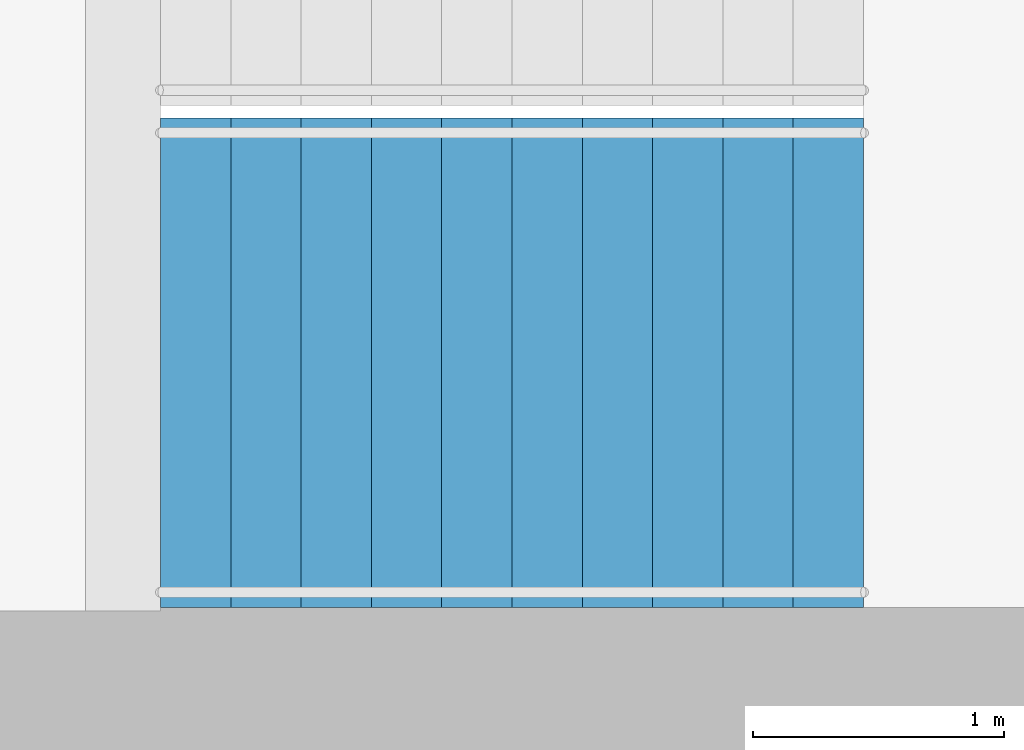
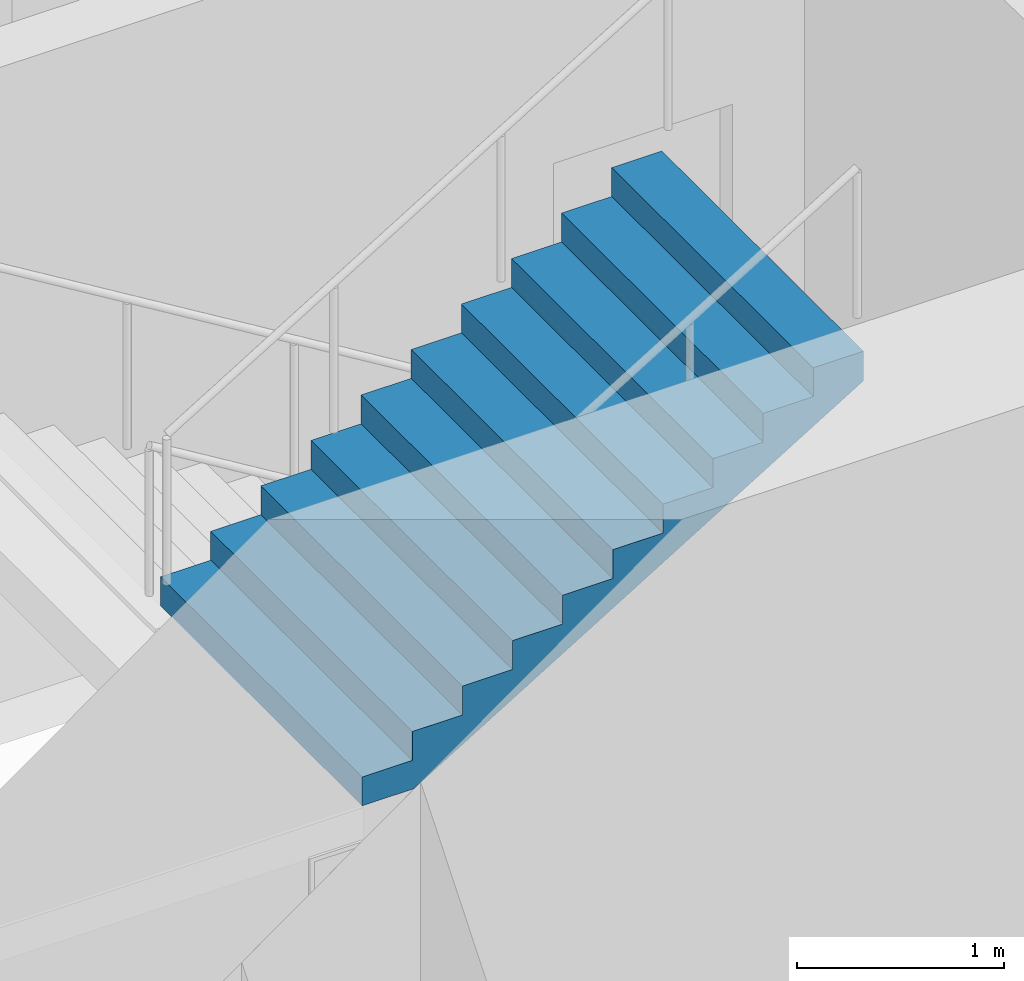
# One storey, part 21 of 23: 1 stair flight, 1 element without a shape of its own.
"""IFC4 building model written with IfcOpenShell, lengths in metres."""

from ifc_helpers import new_model, si_unit, direction, frame, origin, place, context, subcontext, project, spatial, triangles, material, type_object, element, aggregate, save


model = new_model("IFC4")

# Units and contexts
model_context = context("Model", 3, precision=1e-05, world=origin(), true_north=direction((0.0, 1.0)))
body_context = subcontext(model_context, "Body", "Model", "MODEL_VIEW")
ifc_project = project(units=[si_unit("LENGTHUNIT", "METRE"), si_unit("AREAUNIT", "SQUARE_METRE"), si_unit("VOLUMEUNIT", "CUBIC_METRE"), si_unit("PLANEANGLEUNIT", "RADIAN"), si_unit("MASSUNIT", "GRAM", prefix="KILO")], contexts=[model_context])

# Site, building, storey
site_placement = place(None, origin())
site = spatial("IfcSite", under=ifc_project, at=site_placement, CompositionType="ELEMENT")
building_placement = place(site_placement, origin())
building = spatial("IfcBuilding", under=site, at=building_placement, Name="Orbita Commons", CompositionType="ELEMENT")
storey_placement = place(building_placement, frame((0.0, 0.0, 46.449951171875)))
storey = spatial("IfcBuildingStorey", under=building, at=storey_placement, Name="L11", CompositionType="ELEMENT", Elevation=46.449951171875)

# Stair, stair flight
ifc_material_1 = material(Name="Precast concrete C40/50", Category="concrete")
stair_type = type_object("IfcStairType", Name="Exit stair S2 2 flights 11 risers 170", PredefinedType="HALF_TURN_STAIR", material=ifc_material_1)
stair_placement = place(storey_placement, origin())
stair = element("IfcStair", 1, at=stair_placement, inside=storey, type_object=stair_type, Name="Exit stair S2 L11", PredefinedType="HALF_TURN_STAIR")
ifc_material_2 = material(Name="Precast concrete C40/50", Category="concrete")
stair_flight_type = type_object("IfcStairFlightType", Name="Stair flight 11 risers 170 x 280", PredefinedType="STRAIGHT", material=ifc_material_2)
stair_flight_placement = place(storey_placement, frame((60.75, 27.27490234375, 1.875), z_axis=(0.0, 0.0, 1.0), x_axis=(1.0, 0.0, 0.0)))
stair_flight = element("IfcStairFlight", 2, at=stair_flight_placement, type_object=stair_flight_type, Name="S2 flight 2", NumberOfRisers=11, NumberOfTreads=10, PredefinedType="STRAIGHT", RiserHeight=0.170454545, TreadLength=0.28, context=body_context, shape_type="Tessellation", body=[
    triangles([(0.0, 0.974976, 0.0), (0.0, 0.974976, 0.021307), (0.0, 0.81248, 0.021307), (0.0, 0.81248, 0.0), (0.0, 0.649984, 0.021307), (0.0, 0.649984, 0.0), (0.0, 0.487488, 0.021307), (0.0, 0.487488, 0.0), (0.0, 0.324992, 0.021307), (0.0, 0.324992, 0.0), (0.0, 0.162496, 0.021307), (0.0, 0.162496, 0.0), (0.0, 0.0, 0.021307), (0.0, 0.0, 0.0), (0.0, -0.162496, 0.021307), (0.0, -0.162496, 0.0), (0.0, -0.324992, 0.021307), (0.0, -0.324992, 0.0), (0.0, -0.487488, 0.021307), (0.0, -0.487488, 0.0), (0.0, -0.649984, 0.021307), (0.0, -0.649984, 0.0), (0.0, -0.81248, 0.021307), (0.0, -0.81248, 0.0), (0.0, -0.974976, 0.021307), (0.0, -0.974976, 0.0), (0.0, 0.974976, 0.042614), (0.0, 0.81248, 0.042614), (0.0, 0.649984, 0.042614), (0.0, 0.487488, 0.042614), (0.0, 0.324992, 0.042614), (0.0, 0.162496, 0.042614), (0.0, 0.0, 0.042614), (0.0, -0.162496, 0.042614), (0.0, -0.324992, 0.042614), (0.0, -0.487488, 0.042614), (0.0, -0.649984, 0.042614), (0.0, -0.81248, 0.042614), (0.0, -0.974976, 0.042614), (0.0, 0.974976, 0.06392), (0.0, 0.81248, 0.06392), (0.0, 0.649984, 0.06392), (0.0, 0.487488, 0.06392), (0.0, 0.324992, 0.06392), (0.0, 0.162496, 0.06392), (0.0, 0.0, 0.06392), (0.0, -0.162496, 0.06392), (0.0, -0.324992, 0.06392), (0.0, -0.487488, 0.06392), (0.0, -0.649984, 0.06392), (0.0, -0.81248, 0.06392), (0.0, -0.974976, 0.06392), (0.0, 0.974976, 0.085227), (0.0, 0.81248, 0.085227), (0.0, 0.649984, 0.085227), (0.0, 0.487488, 0.085227), (0.0, 0.324992, 0.085227), (0.0, 0.162496, 0.085227), (0.0, 0.0, 0.085227), (0.0, -0.162496, 0.085227), (0.0, -0.324992, 0.085227), (0.0, -0.487488, 0.085227), (0.0, -0.649984, 0.085227), (0.0, -0.81248, 0.085227), (0.0, -0.974976, 0.085227), (0.0, 0.974976, 0.106534), (0.0, 0.81248, 0.106534), (0.0, 0.649984, 0.106534), (0.0, 0.487488, 0.106534), (0.0, 0.324992, 0.106534), (0.0, 0.162496, 0.106534), (0.0, 0.0, 0.106534), (0.0, -0.162496, 0.106534), (0.0, -0.324992, 0.106534), (0.0, -0.487488, 0.106534), (0.0, -0.649984, 0.106534), (0.0, -0.81248, 0.106534), (0.0, -0.974976, 0.106534), (0.0, 0.974976, 0.127841), (0.0, 0.81248, 0.127841), (0.0, 0.649984, 0.127841), (0.0, 0.487488, 0.127841), (0.0, 0.324992, 0.127841), (0.0, 0.162496, 0.127841), (0.0, 0.0, 0.127841), (0.0, -0.162496, 0.127841), (0.0, -0.324992, 0.127841), (0.0, -0.487488, 0.127841), (0.0, -0.649984, 0.127841), (0.0, -0.81248, 0.127841), (0.0, -0.974976, 0.127841), (0.0, 0.974976, 0.149148), (0.0, 0.81248, 0.149148), (0.0, 0.649984, 0.149148), (0.0, 0.487488, 0.149148), (0.0, 0.324992, 0.149148), (0.0, 0.162496, 0.149148), (0.0, 0.0, 0.149148), (0.0, -0.162496, 0.149148), (0.0, -0.324992, 0.149148), (0.0, -0.487488, 0.149148), (0.0, -0.649984, 0.149148), (0.0, -0.81248, 0.149148), (0.0, -0.974976, 0.149148), (0.0, 0.974976, 0.170455), (0.0, 0.81248, 0.170455), (0.0, 0.649984, 0.170455), (0.0, 0.487488, 0.170455), (0.0, 0.324992, 0.170455), (0.0, 0.162496, 0.170455), (0.0, 0.0, 0.170455), (0.0, -0.162496, 0.170455), (0.0, -0.324992, 0.170455), (0.0, -0.487488, 0.170455), (0.0, -0.649984, 0.170455), (0.0, -0.81248, 0.170455), (0.0, -0.974976, 0.170455), (0.28, 0.974976, 0.170455), (0.28, 0.81248, 0.170455), (0.28, 0.649984, 0.170455), (0.28, 0.487488, 0.170455), (0.28, 0.324992, 0.170455), (0.28, 0.162496, 0.170455), (0.28, 0.0, 0.170455), (0.28, -0.162496, 0.170455), (0.28, -0.324992, 0.170455), (0.28, -0.487488, 0.170455), (0.28, -0.649984, 0.170455), (0.28, -0.81248, 0.170455), (0.28, -0.974976, 0.170455), (0.28, 0.974976, 0.340909), (0.28, 0.81248, 0.340909), (0.28, 0.649984, 0.340909), (0.28, 0.487488, 0.340909), (0.28, 0.324992, 0.340909), (0.28, 0.162496, 0.340909), (0.28, 0.0, 0.340909), (0.28, -0.162496, 0.340909), (0.28, -0.324992, 0.340909), (0.28, -0.487488, 0.340909), (0.28, -0.649984, 0.340909), (0.28, -0.81248, 0.340909), (0.28, -0.974976, 0.340909), (0.56, 0.974976, 0.340909), (0.56, 0.81248, 0.340909), (0.56, 0.649984, 0.340909), (0.56, 0.487488, 0.340909), (0.56, 0.324992, 0.340909), (0.56, 0.162496, 0.340909), (0.56, 0.0, 0.340909), (0.56, -0.162496, 0.340909), (0.56, -0.324992, 0.340909), (0.56, -0.487488, 0.340909), (0.56, -0.649984, 0.340909), (0.56, -0.81248, 0.340909), (0.56, -0.974976, 0.340909), (0.56, 0.974976, 0.511364), (0.56, 0.81248, 0.511364), (0.56, 0.649984, 0.511364), (0.56, 0.487488, 0.511364), (0.56, 0.324992, 0.511364), (0.56, 0.162496, 0.511364), (0.56, 0.0, 0.511364), (0.56, -0.162496, 0.511364), (0.56, -0.324992, 0.511364), (0.56, -0.487488, 0.511364), (0.56, -0.649984, 0.511364), (0.56, -0.81248, 0.511364), (0.56, -0.974976, 0.511364), (0.84, 0.974976, 0.511364), (0.84, 0.81248, 0.511364), (0.84, 0.649984, 0.511364), (0.84, 0.487488, 0.511364), (0.84, 0.324992, 0.511364), (0.84, 0.162496, 0.511364), (0.84, 0.0, 0.511364), (0.84, -0.162496, 0.511364), (0.84, -0.324992, 0.511364), (0.84, -0.487488, 0.511364), (0.84, -0.649984, 0.511364), (0.84, -0.81248, 0.511364), (0.84, -0.974976, 0.511364), (0.84, 0.974976, 0.681818), (0.84, 0.81248, 0.681818), (0.84, 0.649984, 0.681818), (0.84, 0.487488, 0.681818), (0.84, 0.324992, 0.681818), (0.84, 0.162496, 0.681818), (0.84, 0.0, 0.681818), (0.84, -0.162496, 0.681818), (0.84, -0.324992, 0.681818), (0.84, -0.487488, 0.681818), (0.84, -0.649984, 0.681818), (0.84, -0.81248, 0.681818), (0.84, -0.974976, 0.681818), (1.12, 0.974976, 0.681818), (1.12, 0.81248, 0.681818), (1.12, 0.649984, 0.681818), (1.12, 0.487488, 0.681818), (1.12, 0.324992, 0.681818), (1.12, 0.162496, 0.681818), (1.12, 0.0, 0.681818), (1.12, -0.162496, 0.681818), (1.12, -0.324992, 0.681818), (1.12, -0.487488, 0.681818), (1.12, -0.649984, 0.681818), (1.12, -0.81248, 0.681818), (1.12, -0.974976, 0.681818), (1.12, 0.974976, 0.852273), (1.12, 0.81248, 0.852273), (1.12, 0.649984, 0.852273), (1.12, 0.487488, 0.852273), (1.12, 0.324992, 0.852273), (1.12, 0.162496, 0.852273), (1.12, 0.0, 0.852273), (1.12, -0.162496, 0.852273), (1.12, -0.324992, 0.852273), (1.12, -0.487488, 0.852273), (1.12, -0.649984, 0.852273), (1.12, -0.81248, 0.852273), (1.12, -0.974976, 0.852273), (1.4, 0.974976, 0.852273), (1.4, 0.81248, 0.852273), (1.4, 0.649984, 0.852273), (1.4, 0.487488, 0.852273), (1.4, 0.324992, 0.852273), (1.4, 0.162496, 0.852273), (1.4, 0.0, 0.852273), (1.4, -0.162496, 0.852273), (1.4, -0.324992, 0.852273), (1.4, -0.487488, 0.852273), (1.4, -0.649984, 0.852273), (1.4, -0.81248, 0.852273), (1.4, -0.974976, 0.852273), (1.4, 0.974976, 1.022727), (1.4, 0.81248, 1.022727), (1.4, 0.649984, 1.022727), (1.4, 0.487488, 1.022727), (1.4, 0.324992, 1.022727), (1.4, 0.162496, 1.022727), (1.4, 0.0, 1.022727), (1.4, -0.162496, 1.022727), (1.4, -0.324992, 1.022727), (1.4, -0.487488, 1.022727), (1.4, -0.649984, 1.022727), (1.4, -0.81248, 1.022727), (1.4, -0.974976, 1.022727), (1.68, 0.974976, 1.022727), (1.68, 0.81248, 1.022727), (1.68, 0.649984, 1.022727), (1.68, 0.487488, 1.022727), (1.68, 0.324992, 1.022727), (1.68, 0.162496, 1.022727), (1.68, 0.0, 1.022727), (1.68, -0.162496, 1.022727), (1.68, -0.324992, 1.022727), (1.68, -0.487488, 1.022727), (1.68, -0.649984, 1.022727), (1.68, -0.81248, 1.022727), (1.68, -0.974976, 1.022727), (1.68, 0.974976, 1.193182), (1.68, 0.81248, 1.193182), (1.68, 0.649984, 1.193182), (1.68, 0.487488, 1.193182), (1.68, 0.324992, 1.193182), (1.68, 0.162496, 1.193182), (1.68, 0.0, 1.193182), (1.68, -0.162496, 1.193182), (1.68, -0.324992, 1.193182), (1.68, -0.487488, 1.193182), (1.68, -0.649984, 1.193182), (1.68, -0.81248, 1.193182), (1.68, -0.974976, 1.193182), (1.96, 0.974976, 1.193182), (1.96, 0.81248, 1.193182), (1.96, 0.649984, 1.193182), (1.96, 0.487488, 1.193182), (1.96, 0.324992, 1.193182), (1.96, 0.162496, 1.193182), (1.96, 0.0, 1.193182), (1.96, -0.162496, 1.193182), (1.96, -0.324992, 1.193182), (1.96, -0.487488, 1.193182), (1.96, -0.649984, 1.193182), (1.96, -0.81248, 1.193182), (1.96, -0.974976, 1.193182), (1.96, 0.974976, 1.363636), (1.96, 0.81248, 1.363636), (1.96, 0.649984, 1.363636), (1.96, 0.487488, 1.363636), (1.96, 0.324992, 1.363636), (1.96, 0.162496, 1.363636), (1.96, 0.0, 1.363636), (1.96, -0.162496, 1.363636), (1.96, -0.324992, 1.363636), (1.96, -0.487488, 1.363636), (1.96, -0.649984, 1.363636), (1.96, -0.81248, 1.363636), (1.96, -0.974976, 1.363636), (2.24, 0.974976, 1.363636), (2.24, 0.81248, 1.363636), (2.24, 0.649984, 1.363636), (2.24, 0.487488, 1.363636), (2.24, 0.324992, 1.363636), (2.24, 0.162496, 1.363636), (2.24, 0.0, 1.363636), (2.24, -0.162496, 1.363636), (2.24, -0.324992, 1.363636), (2.24, -0.487488, 1.363636), (2.24, -0.649984, 1.363636), (2.24, -0.81248, 1.363636), (2.24, -0.974976, 1.363636), (2.24, 0.974976, 1.534091), (2.24, 0.81248, 1.534091), (2.24, 0.649984, 1.534091), (2.24, 0.487488, 1.534091), (2.24, 0.324992, 1.534091), (2.24, 0.162496, 1.534091), (2.24, 0.0, 1.534091), (2.24, -0.162496, 1.534091), (2.24, -0.324992, 1.534091), (2.24, -0.487488, 1.534091), (2.24, -0.649984, 1.534091), (2.24, -0.81248, 1.534091), (2.24, -0.974976, 1.534091), (2.52, 0.974976, 1.534091), (2.52, 0.81248, 1.534091), (2.52, 0.649984, 1.534091), (2.52, 0.487488, 1.534091), (2.52, 0.324992, 1.534091), (2.52, 0.162496, 1.534091), (2.52, 0.0, 1.534091), (2.52, -0.162496, 1.534091), (2.52, -0.324992, 1.534091), (2.52, -0.487488, 1.534091), (2.52, -0.649984, 1.534091), (2.52, -0.81248, 1.534091), (2.52, -0.974976, 1.534091), (2.52, 0.974976, 1.704545), (2.52, 0.81248, 1.704545), (2.52, 0.649984, 1.704545), (2.52, 0.487488, 1.704545), (2.52, 0.324992, 1.704545), (2.52, 0.162496, 1.704545), (2.52, 0.0, 1.704545), (2.52, -0.162496, 1.704545), (2.52, -0.324992, 1.704545), (2.52, -0.487488, 1.704545), (2.52, -0.649984, 1.704545), (2.52, -0.81248, 1.704545), (2.52, -0.974976, 1.704545), (2.8, 0.974976, 1.704545), (2.8, 0.81248, 1.704545), (2.8, 0.649984, 1.704545), (2.8, 0.487488, 1.704545), (2.8, 0.324992, 1.704545), (2.8, 0.162496, 1.704545), (2.8, 0.0, 1.704545), (2.8, -0.162496, 1.704545), (2.8, -0.324992, 1.704545), (2.8, -0.487488, 1.704545), (2.8, -0.649984, 1.704545), (2.8, -0.81248, 1.704545), (2.8, -0.974976, 1.704545), (2.8, 0.974976, 1.682609), (2.8, 0.81248, 1.682609), (2.8, 0.649984, 1.682609), (2.8, 0.487488, 1.682609), (2.8, 0.324992, 1.682609), (2.8, 0.162496, 1.682609), (2.8, 0.0, 1.682609), (2.8, -0.162496, 1.682609), (2.8, -0.324992, 1.682609), (2.8, -0.487488, 1.682609), (2.8, -0.649984, 1.682609), (2.8, -0.81248, 1.682609), (2.8, -0.974976, 1.682609), (2.8, 0.974976, 1.660672), (2.8, 0.81248, 1.660672), (2.8, 0.649984, 1.660672), (2.8, 0.487488, 1.660672), (2.8, 0.324992, 1.660672), (2.8, 0.162496, 1.660672), (2.8, 0.0, 1.660672), (2.8, -0.162496, 1.660672), (2.8, -0.324992, 1.660672), (2.8, -0.487488, 1.660672), (2.8, -0.649984, 1.660672), (2.8, -0.81248, 1.660672), (2.8, -0.974976, 1.660672), (2.8, 0.974976, 1.638735), (2.8, 0.81248, 1.638735), (2.8, 0.649984, 1.638735), (2.8, 0.487488, 1.638735), (2.8, 0.324992, 1.638735), (2.8, 0.162496, 1.638735), (2.8, 0.0, 1.638735), (2.8, -0.162496, 1.638735), (2.8, -0.324992, 1.638735), (2.8, -0.487488, 1.638735), (2.8, -0.649984, 1.638735), (2.8, -0.81248, 1.638735), (2.8, -0.974976, 1.638735), (2.8, 0.974976, 1.616798), (2.8, 0.81248, 1.616798), (2.8, 0.649984, 1.616798), (2.8, 0.487488, 1.616798), (2.8, 0.324992, 1.616798), (2.8, 0.162496, 1.616798), (2.8, 0.0, 1.616798), (2.8, -0.162496, 1.616798), (2.8, -0.324992, 1.616798), (2.8, -0.487488, 1.616798), (2.8, -0.649984, 1.616798), (2.8, -0.81248, 1.616798), (2.8, -0.974976, 1.616798), (2.8, 0.974976, 1.594861), (2.8, 0.81248, 1.594861), (2.8, 0.649984, 1.594861), (2.8, 0.487488, 1.594861), (2.8, 0.324992, 1.594861), (2.8, 0.162496, 1.594861), (2.8, 0.0, 1.594861), (2.8, -0.162496, 1.594861), (2.8, -0.324992, 1.594861), (2.8, -0.487488, 1.594861), (2.8, -0.649984, 1.594861), (2.8, -0.81248, 1.594861), (2.8, -0.974976, 1.594861), (2.8, 0.974976, 1.572925), (2.8, 0.81248, 1.572925), (2.8, 0.649984, 1.572925), (2.8, 0.487488, 1.572925), (2.8, 0.324992, 1.572925), (2.8, 0.162496, 1.572925), (2.8, 0.0, 1.572925), (2.8, -0.162496, 1.572925), (2.8, -0.324992, 1.572925), (2.8, -0.487488, 1.572925), (2.8, -0.649984, 1.572925), (2.8, -0.81248, 1.572925), (2.8, -0.974976, 1.572925), (2.8, 0.974976, 1.550988), (2.8, 0.81248, 1.550988), (2.8, 0.649984, 1.550988), (2.8, 0.487488, 1.550988), (2.8, 0.324992, 1.550988), (2.8, 0.162496, 1.550988), (2.8, 0.0, 1.550988), (2.8, -0.162496, 1.550988), (2.8, -0.324992, 1.550988), (2.8, -0.487488, 1.550988), (2.8, -0.649984, 1.550988), (2.8, -0.81248, 1.550988), (2.8, -0.974976, 1.550988), (2.8, 0.974976, 1.529051), (2.8, 0.81248, 1.529051), (2.8, 0.649984, 1.529051), (2.8, 0.487488, 1.529051), (2.8, 0.324992, 1.529051), (2.8, 0.162496, 1.529051), (2.8, 0.0, 1.529051), (2.8, -0.162496, 1.529051), (2.8, -0.324992, 1.529051), (2.8, -0.487488, 1.529051), (2.8, -0.649984, 1.529051), (2.8, -0.81248, 1.529051), (2.8, -0.974976, 1.529051), (0.288279, 0.974976, 0.0), (0.288279, 0.81248, 0.0), (0.288279, 0.649984, 0.0), (0.288279, 0.487488, 0.0), (0.288279, 0.324992, 0.0), (0.288279, 0.162496, 0.0), (0.288279, 0.0, 0.0), (0.288279, -0.162496, 0.0), (0.288279, -0.324992, 0.0), (0.288279, -0.487488, 0.0), (0.288279, -0.649984, 0.0), (0.288279, -0.81248, 0.0), (0.288279, -0.974976, 0.0)], [[3, 2, 1], [4, 3, 1], [5, 3, 4], [6, 5, 4], [7, 5, 6], [8, 7, 6], [9, 7, 8], [10, 9, 8], [11, 9, 10], [12, 11, 10], [13, 11, 12], [14, 13, 12], [15, 13, 14], [16, 15, 14], [17, 15, 16], [18, 17, 16], [19, 17, 18], [20, 19, 18], [21, 19, 20], [22, 21, 20], [23, 21, 22], [24, 23, 22], [25, 23, 24], [26, 25, 24], [28, 27, 2], [3, 28, 2], [29, 28, 3], [5, 29, 3], [30, 29, 5], [7, 30, 5], [31, 30, 7], [9, 31, 7], [32, 31, 9], [11, 32, 9], [33, 32, 11], [13, 33, 11], [34, 33, 13], [15, 34, 13], [35, 34, 15], [17, 35, 15], [36, 35, 17], [19, 36, 17], [37, 36, 19], [21, 37, 19], [38, 37, 21], [23, 38, 21], [39, 38, 23], [25, 39, 23], [41, 40, 27], [28, 41, 27], [42, 41, 28], [29, 42, 28], [43, 42, 29], [30, 43, 29], [44, 43, 30], [31, 44, 30], [45, 44, 31], [32, 45, 31], [46, 45, 32], [33, 46, 32], [47, 46, 33], [34, 47, 33], [48, 47, 34], [35, 48, 34], [49, 48, 35], [36, 49, 35], [50, 49, 36], [37, 50, 36], [51, 50, 37], [38, 51, 37], [52, 51, 38], [39, 52, 38], [54, 53, 40], [41, 54, 40], [55, 54, 41], [42, 55, 41], [56, 55, 42], [43, 56, 42], [57, 56, 43], [44, 57, 43], [58, 57, 44], [45, 58, 44], [59, 58, 45], [46, 59, 45], [60, 59, 46], [47, 60, 46], [61, 60, 47], [48, 61, 47], [62, 61, 48], [49, 62, 48], [63, 62, 49], [50, 63, 49], [64, 63, 50], [51, 64, 50], [65, 64, 51], [52, 65, 51], [67, 66, 53], [54, 67, 53], [68, 67, 54], [55, 68, 54], [69, 68, 55], [56, 69, 55], [70, 69, 56], [57, 70, 56], [71, 70, 57], [58, 71, 57], [72, 71, 58], [59, 72, 58], [73, 72, 59], [60, 73, 59], [74, 73, 60], [61, 74, 60], [75, 74, 61], [62, 75, 61], [76, 75, 62], [63, 76, 62], [77, 76, 63], [64, 77, 63], [78, 77, 64], [65, 78, 64], [80, 79, 66], [67, 80, 66], [81, 80, 67], [68, 81, 67], [82, 81, 68], [69, 82, 68], [83, 82, 69], [70, 83, 69], [84, 83, 70], [71, 84, 70], [85, 84, 71], [72, 85, 71], [86, 85, 72], [73, 86, 72], [87, 86, 73], [74, 87, 73], [88, 87, 74], [75, 88, 74], [89, 88, 75], [76, 89, 75], [90, 89, 76], [77, 90, 76], [91, 90, 77], [78, 91, 77], [93, 92, 79], [80, 93, 79], [94, 93, 80], [81, 94, 80], [95, 94, 81], [82, 95, 81], [96, 95, 82], [83, 96, 82], [97, 96, 83], [84, 97, 83], [98, 97, 84], [85, 98, 84], [99, 98, 85], [86, 99, 85], [100, 99, 86], [87, 100, 86], [101, 100, 87], [88, 101, 87], [102, 101, 88], [89, 102, 88], [103, 102, 89], [90, 103, 89], [104, 103, 90], [91, 104, 90], [106, 105, 92], [93, 106, 92], [107, 106, 93], [94, 107, 93], [108, 107, 94], [95, 108, 94], [109, 108, 95], [96, 109, 95], [110, 109, 96], [97, 110, 96], [111, 110, 97], [98, 111, 97], [112, 111, 98], [99, 112, 98], [113, 112, 99], [100, 113, 99], [114, 113, 100], [101, 114, 100], [115, 114, 101], [102, 115, 101], [116, 115, 102], [103, 116, 102], [117, 116, 103], [104, 117, 103], [119, 118, 105], [106, 119, 105], [120, 119, 106], [107, 120, 106], [121, 120, 107], [108, 121, 107], [122, 121, 108], [109, 122, 108], [123, 122, 109], [110, 123, 109], [124, 123, 110], [111, 124, 110], [125, 124, 111], [112, 125, 111], [126, 125, 112], [113, 126, 112], [127, 126, 113], [114, 127, 113], [128, 127, 114], [115, 128, 114], [129, 128, 115], [116, 129, 115], [130, 129, 116], [117, 130, 116], [132, 131, 118], [119, 132, 118], [133, 132, 119], [120, 133, 119], [134, 133, 120], [121, 134, 120], [135, 134, 121], [122, 135, 121], [136, 135, 122], [123, 136, 122], [137, 136, 123], [124, 137, 123], [138, 137, 124], [125, 138, 124], [139, 138, 125], [126, 139, 125], [140, 139, 126], [127, 140, 126], [141, 140, 127], [128, 141, 127], [142, 141, 128], [129, 142, 128], [143, 142, 129], [130, 143, 129], [145, 144, 131], [132, 145, 131], [146, 145, 132], [133, 146, 132], [147, 146, 133], [134, 147, 133], [148, 147, 134], [135, 148, 134], [149, 148, 135], [136, 149, 135], [150, 149, 136], [137, 150, 136], [151, 150, 137], [138, 151, 137], [152, 151, 138], [139, 152, 138], [153, 152, 139], [140, 153, 139], [154, 153, 140], [141, 154, 140], [155, 154, 141], [142, 155, 141], [156, 155, 142], [143, 156, 142], [158, 157, 144], [145, 158, 144], [159, 158, 145], [146, 159, 145], [160, 159, 146], [147, 160, 146], [161, 160, 147], [148, 161, 147], [162, 161, 148], [149, 162, 148], [163, 162, 149], [150, 163, 149], [164, 163, 150], [151, 164, 150], [165, 164, 151], [152, 165, 151], [166, 165, 152], [153, 166, 152], [167, 166, 153], [154, 167, 153], [168, 167, 154], [155, 168, 154], [169, 168, 155], [156, 169, 155], [171, 170, 157], [158, 171, 157], [172, 171, 158], [159, 172, 158], [173, 172, 159], [160, 173, 159], [174, 173, 160], [161, 174, 160], [175, 174, 161], [162, 175, 161], [176, 175, 162], [163, 176, 162], [177, 176, 163], [164, 177, 163], [178, 177, 164], [165, 178, 164], [179, 178, 165], [166, 179, 165], [180, 179, 166], [167, 180, 166], [181, 180, 167], [168, 181, 167], [182, 181, 168], [169, 182, 168], [184, 183, 170], [171, 184, 170], [185, 184, 171], [172, 185, 171], [186, 185, 172], [173, 186, 172], [187, 186, 173], [174, 187, 173], [188, 187, 174], [175, 188, 174], [189, 188, 175], [176, 189, 175], [190, 189, 176], [177, 190, 176], [191, 190, 177], [178, 191, 177], [192, 191, 178], [179, 192, 178], [193, 192, 179], [180, 193, 179], [194, 193, 180], [181, 194, 180], [195, 194, 181], [182, 195, 181], [197, 196, 183], [184, 197, 183], [198, 197, 184], [185, 198, 184], [199, 198, 185], [186, 199, 185], [200, 199, 186], [187, 200, 186], [201, 200, 187], [188, 201, 187], [202, 201, 188], [189, 202, 188], [203, 202, 189], [190, 203, 189], [204, 203, 190], [191, 204, 190], [205, 204, 191], [192, 205, 191], [206, 205, 192], [193, 206, 192], [207, 206, 193], [194, 207, 193], [208, 207, 194], [195, 208, 194], [210, 209, 196], [197, 210, 196], [211, 210, 197], [198, 211, 197], [212, 211, 198], [199, 212, 198], [213, 212, 199], [200, 213, 199], [214, 213, 200], [201, 214, 200], [215, 214, 201], [202, 215, 201], [216, 215, 202], [203, 216, 202], [217, 216, 203], [204, 217, 203], [218, 217, 204], [205, 218, 204], [219, 218, 205], [206, 219, 205], [220, 219, 206], [207, 220, 206], [221, 220, 207], [208, 221, 207], [223, 222, 209], [210, 223, 209], [224, 223, 210], [211, 224, 210], [225, 224, 211], [212, 225, 211], [226, 225, 212], [213, 226, 212], [227, 226, 213], [214, 227, 213], [228, 227, 214], [215, 228, 214], [229, 228, 215], [216, 229, 215], [230, 229, 216], [217, 230, 216], [231, 230, 217], [218, 231, 217], [232, 231, 218], [219, 232, 218], [233, 232, 219], [220, 233, 219], [234, 233, 220], [221, 234, 220], [236, 235, 222], [223, 236, 222], [237, 236, 223], [224, 237, 223], [238, 237, 224], [225, 238, 224], [239, 238, 225], [226, 239, 225], [240, 239, 226], [227, 240, 226], [241, 240, 227], [228, 241, 227], [242, 241, 228], [229, 242, 228], [243, 242, 229], [230, 243, 229], [244, 243, 230], [231, 244, 230], [245, 244, 231], [232, 245, 231], [246, 245, 232], [233, 246, 232], [247, 246, 233], [234, 247, 233], [249, 248, 235], [236, 249, 235], [250, 249, 236], [237, 250, 236], [251, 250, 237], [238, 251, 237], [252, 251, 238], [239, 252, 238], [253, 252, 239], [240, 253, 239], [254, 253, 240], [241, 254, 240], [255, 254, 241], [242, 255, 241], [256, 255, 242], [243, 256, 242], [257, 256, 243], [244, 257, 243], [258, 257, 244], [245, 258, 244], [259, 258, 245], [246, 259, 245], [260, 259, 246], [247, 260, 246], [262, 261, 248], [249, 262, 248], [263, 262, 249], [250, 263, 249], [264, 263, 250], [251, 264, 250], [265, 264, 251], [252, 265, 251], [266, 265, 252], [253, 266, 252], [267, 266, 253], [254, 267, 253], [268, 267, 254], [255, 268, 254], [269, 268, 255], [256, 269, 255], [270, 269, 256], [257, 270, 256], [271, 270, 257], [258, 271, 257], [272, 271, 258], [259, 272, 258], [273, 272, 259], [260, 273, 259], [275, 274, 261], [262, 275, 261], [276, 275, 262], [263, 276, 262], [277, 276, 263], [264, 277, 263], [278, 277, 264], [265, 278, 264], [279, 278, 265], [266, 279, 265], [280, 279, 266], [267, 280, 266], [281, 280, 267], [268, 281, 267], [282, 281, 268], [269, 282, 268], [283, 282, 269], [270, 283, 269], [284, 283, 270], [271, 284, 270], [285, 284, 271], [272, 285, 271], [286, 285, 272], [273, 286, 272], [288, 287, 274], [275, 288, 274], [289, 288, 275], [276, 289, 275], [290, 289, 276], [277, 290, 276], [291, 290, 277], [278, 291, 277], [292, 291, 278], [279, 292, 278], [293, 292, 279], [280, 293, 279], [294, 293, 280], [281, 294, 280], [295, 294, 281], [282, 295, 281], [296, 295, 282], [283, 296, 282], [297, 296, 283], [284, 297, 283], [298, 297, 284], [285, 298, 284], [299, 298, 285], [286, 299, 285], [301, 300, 287], [288, 301, 287], [302, 301, 288], [289, 302, 288], [303, 302, 289], [290, 303, 289], [304, 303, 290], [291, 304, 290], [305, 304, 291], [292, 305, 291], [306, 305, 292], [293, 306, 292], [307, 306, 293], [294, 307, 293], [308, 307, 294], [295, 308, 294], [309, 308, 295], [296, 309, 295], [310, 309, 296], [297, 310, 296], [311, 310, 297], [298, 311, 297], [312, 311, 298], [299, 312, 298], [314, 313, 300], [301, 314, 300], [315, 314, 301], [302, 315, 301], [316, 315, 302], [303, 316, 302], [317, 316, 303], [304, 317, 303], [318, 317, 304], [305, 318, 304], [319, 318, 305], [306, 319, 305], [320, 319, 306], [307, 320, 306], [321, 320, 307], [308, 321, 307], [322, 321, 308], [309, 322, 308], [323, 322, 309], [310, 323, 309], [324, 323, 310], [311, 324, 310], [325, 324, 311], [312, 325, 311], [327, 326, 313], [314, 327, 313], [328, 327, 314], [315, 328, 314], [329, 328, 315], [316, 329, 315], [330, 329, 316], [317, 330, 316], [331, 330, 317], [318, 331, 317], [332, 331, 318], [319, 332, 318], [333, 332, 319], [320, 333, 319], [334, 333, 320], [321, 334, 320], [335, 334, 321], [322, 335, 321], [336, 335, 322], [323, 336, 322], [337, 336, 323], [324, 337, 323], [338, 337, 324], [325, 338, 324], [340, 339, 326], [327, 340, 326], [341, 340, 327], [328, 341, 327], [342, 341, 328], [329, 342, 328], [343, 342, 329], [330, 343, 329], [344, 343, 330], [331, 344, 330], [345, 344, 331], [332, 345, 331], [346, 345, 332], [333, 346, 332], [347, 346, 333], [334, 347, 333], [348, 347, 334], [335, 348, 334], [349, 348, 335], [336, 349, 335], [350, 349, 336], [337, 350, 336], [351, 350, 337], [338, 351, 337], [353, 352, 339], [340, 353, 339], [354, 353, 340], [341, 354, 340], [355, 354, 341], [342, 355, 341], [356, 355, 342], [343, 356, 342], [357, 356, 343], [344, 357, 343], [358, 357, 344], [345, 358, 344], [359, 358, 345], [346, 359, 345], [360, 359, 346], [347, 360, 346], [361, 360, 347], [348, 361, 347], [362, 361, 348], [349, 362, 348], [363, 362, 349], [350, 363, 349], [364, 363, 350], [351, 364, 350], [366, 365, 352], [353, 366, 352], [367, 366, 353], [354, 367, 353], [368, 367, 354], [355, 368, 354], [369, 368, 355], [356, 369, 355], [370, 369, 356], [357, 370, 356], [371, 370, 357], [358, 371, 357], [372, 371, 358], [359, 372, 358], [373, 372, 359], [360, 373, 359], [374, 373, 360], [361, 374, 360], [375, 374, 361], [362, 375, 361], [376, 375, 362], [363, 376, 362], [377, 376, 363], [364, 377, 363], [379, 378, 365], [366, 379, 365], [380, 379, 366], [367, 380, 366], [381, 380, 367], [368, 381, 367], [382, 381, 368], [369, 382, 368], [383, 382, 369], [370, 383, 369], [384, 383, 370], [371, 384, 370], [385, 384, 371], [372, 385, 371], [386, 385, 372], [373, 386, 372], [387, 386, 373], [374, 387, 373], [388, 387, 374], [375, 388, 374], [389, 388, 375], [376, 389, 375], [390, 389, 376], [377, 390, 376], [392, 391, 378], [379, 392, 378], [393, 392, 379], [380, 393, 379], [394, 393, 380], [381, 394, 380], [395, 394, 381], [382, 395, 381], [396, 395, 382], [383, 396, 382], [397, 396, 383], [384, 397, 383], [398, 397, 384], [385, 398, 384], [399, 398, 385], [386, 399, 385], [400, 399, 386], [387, 400, 386], [401, 400, 387], [388, 401, 387], [402, 401, 388], [389, 402, 388], [403, 402, 389], [390, 403, 389], [405, 404, 391], [392, 405, 391], [406, 405, 392], [393, 406, 392], [407, 406, 393], [394, 407, 393], [408, 407, 394], [395, 408, 394], [409, 408, 395], [396, 409, 395], [410, 409, 396], [397, 410, 396], [411, 410, 397], [398, 411, 397], [412, 411, 398], [399, 412, 398], [413, 412, 399], [400, 413, 399], [414, 413, 400], [401, 414, 400], [415, 414, 401], [402, 415, 401], [416, 415, 402], [403, 416, 402], [418, 417, 404], [405, 418, 404], [419, 418, 405], [406, 419, 405], [420, 419, 406], [407, 420, 406], [421, 420, 407], [408, 421, 407], [422, 421, 408], [409, 422, 408], [423, 422, 409], [410, 423, 409], [424, 423, 410], [411, 424, 410], [425, 424, 411], [412, 425, 411], [426, 425, 412], [413, 426, 412], [427, 426, 413], [414, 427, 413], [428, 427, 414], [415, 428, 414], [429, 428, 415], [416, 429, 415], [431, 430, 417], [418, 431, 417], [432, 431, 418], [419, 432, 418], [433, 432, 419], [420, 433, 419], [434, 433, 420], [421, 434, 420], [435, 434, 421], [422, 435, 421], [436, 435, 422], [423, 436, 422], [437, 436, 423], [424, 437, 423], [438, 437, 424], [425, 438, 424], [439, 438, 425], [426, 439, 425], [440, 439, 426], [427, 440, 426], [441, 440, 427], [428, 441, 427], [442, 441, 428], [429, 442, 428], [444, 443, 430], [431, 444, 430], [445, 444, 431], [432, 445, 431], [446, 445, 432], [433, 446, 432], [447, 446, 433], [434, 447, 433], [448, 447, 434], [435, 448, 434], [449, 448, 435], [436, 449, 435], [450, 449, 436], [437, 450, 436], [451, 450, 437], [438, 451, 437], [452, 451, 438], [439, 452, 438], [453, 452, 439], [440, 453, 439], [454, 453, 440], [441, 454, 440], [455, 454, 441], [442, 455, 441], [457, 456, 443], [444, 457, 443], [458, 457, 444], [445, 458, 444], [459, 458, 445], [446, 459, 445], [460, 459, 446], [447, 460, 446], [461, 460, 447], [448, 461, 447], [462, 461, 448], [449, 462, 448], [463, 462, 449], [450, 463, 449], [464, 463, 450], [451, 464, 450], [465, 464, 451], [452, 465, 451], [466, 465, 452], [453, 466, 452], [467, 466, 453], [454, 467, 453], [468, 467, 454], [455, 468, 454], [470, 469, 456], [457, 470, 456], [471, 470, 457], [458, 471, 457], [472, 471, 458], [459, 472, 458], [473, 472, 459], [460, 473, 459], [474, 473, 460], [461, 474, 460], [475, 474, 461], [462, 475, 461], [476, 475, 462], [463, 476, 462], [477, 476, 463], [464, 477, 463], [478, 477, 464], [465, 478, 464], [479, 478, 465], [466, 479, 465], [480, 479, 466], [467, 480, 466], [481, 480, 467], [468, 481, 467], [4, 1, 469], [470, 4, 469], [6, 4, 470], [471, 6, 470], [8, 6, 471], [472, 8, 471], [10, 8, 472], [473, 10, 472], [12, 10, 473], [474, 12, 473], [14, 12, 474], [475, 14, 474], [16, 14, 475], [476, 16, 475], [18, 16, 476], [477, 18, 476], [20, 18, 477], [478, 20, 477], [22, 20, 478], [479, 22, 478], [24, 22, 479], [480, 24, 479], [26, 24, 480], [481, 26, 480], [456, 469, 1], [26, 481, 468], [443, 456, 1], [26, 468, 455], [430, 443, 1], [26, 455, 442], [417, 430, 1], [26, 442, 429], [404, 417, 1], [26, 429, 416], [391, 404, 1], [26, 416, 403], [378, 391, 1], [26, 403, 390], [365, 378, 1], [26, 390, 377], [339, 352, 365], [377, 364, 351], [326, 339, 365], [377, 351, 338], [300, 313, 326], [338, 325, 312], [300, 326, 365], [377, 338, 312], [274, 287, 300], [312, 299, 286], [274, 300, 365], [377, 312, 286], [248, 261, 274], [286, 273, 260], [248, 274, 365], [377, 286, 260], [222, 235, 248], [260, 247, 234], [222, 248, 365], [377, 260, 234], [196, 209, 222], [234, 221, 208], [196, 222, 365], [377, 234, 208], [170, 183, 196], [208, 195, 182], [170, 196, 365], [377, 208, 182], [144, 157, 170], [182, 169, 156], [144, 170, 365], [377, 182, 156], [118, 131, 144], [156, 143, 130], [118, 144, 365], [377, 156, 130], [118, 365, 1], [26, 377, 130], [92, 105, 118], [130, 117, 104], [79, 92, 118], [130, 104, 91], [66, 79, 118], [130, 91, 78], [53, 66, 118], [130, 78, 65], [40, 53, 118], [130, 65, 52], [27, 40, 118], [130, 52, 39], [2, 27, 118], [130, 39, 25], [1, 2, 118], [130, 25, 26]], closed=True),
])
aggregate(stair, [stair_flight])

save(model, "model.ifc")
